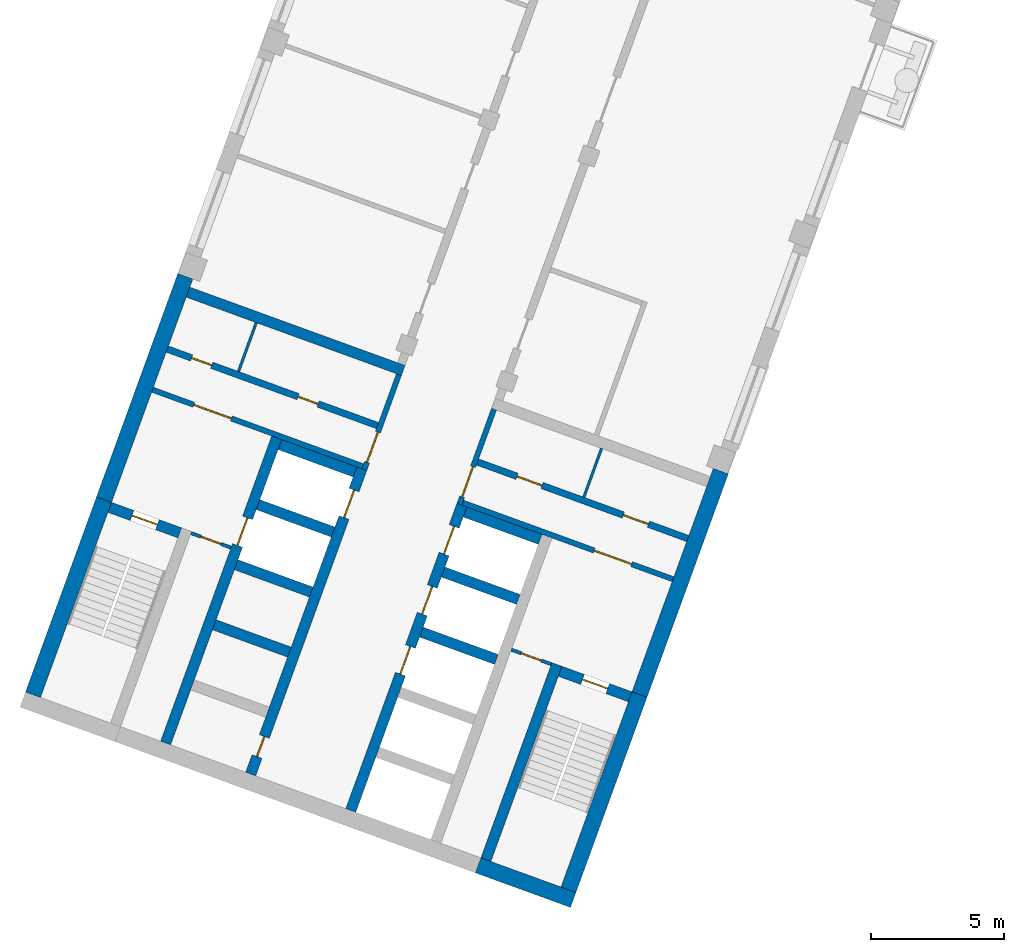
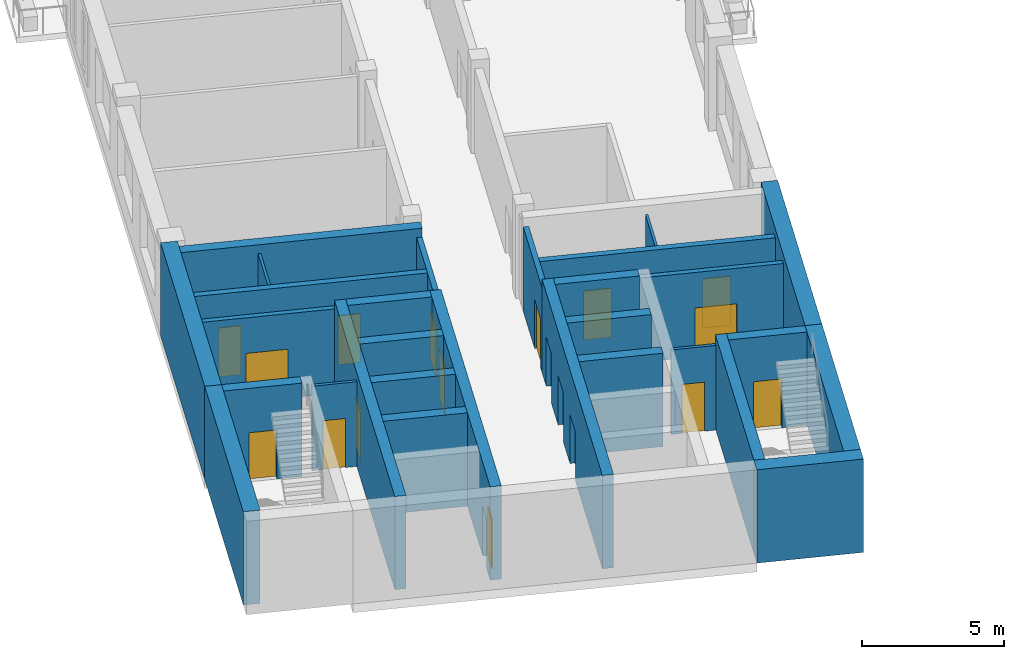
# One storey, part 2 of 16: 29 walls, 18 doors, 18 openings.
"""IFC4 building model written with IfcOpenShell, lengths in metres."""

from ifc_helpers import new_model, si_unit, direction, frame, frame_2d, origin, place, context, subcontext, project, spatial, rectangle, extrude, material, layer, layer_set, type_object, element, fill, save


model = new_model("IFC4")

# Units and contexts
model_context = context("Model", 3, precision=1e-05, world=origin(), true_north=direction((0.0, 1.0)))
body_context = subcontext(model_context, "Body", "Model", "MODEL_VIEW")
ifc_project = project(units=[si_unit("LENGTHUNIT", "METRE"), si_unit("AREAUNIT", "SQUARE_METRE"), si_unit("VOLUMEUNIT", "CUBIC_METRE"), si_unit("PLANEANGLEUNIT", "RADIAN"), si_unit("MASSUNIT", "GRAM", prefix="KILO")], contexts=[model_context])

# Site, building, storey
site_placement = place(None, origin())
site = spatial("IfcSite", under=ifc_project, at=site_placement, CompositionType="ELEMENT")
building_placement = place(site_placement, origin())
building = spatial("IfcBuilding", under=site, at=building_placement, Name="Skarvind Civic Tower", CompositionType="ELEMENT")
storey_placement = place(building_placement, frame((0.0, 0.0, 81.0)))
storey = spatial("IfcBuildingStorey", under=building, at=storey_placement, Name="L18", CompositionType="ELEMENT", Elevation=81.0)

# Wall, opening, door
ifc_material_1 = material(Name="Fire-rated masonry partition", Category="masonry")
ifc_layer_1 = layer(ifc_material_1, 0.199951171875)
ifc_layer_set_1 = layer_set([ifc_layer_1], Name="Core enclosure wall 200")
wall_type_1 = type_object("IfcWallType", Name="Core enclosure wall 200", PredefinedType="PARTITIONING", material=ifc_layer_set_1)
wall_1_placement = place(storey_placement, frame((31.491455078125, 93.693359375, 0.0), z_axis=(0.0, 0.0, 1.0), x_axis=(0.341995824804, 0.939701471648, 0.0)))
wall_1 = element("IfcWall", 1, at=wall_1_placement, inside=storey, type_object=wall_type_1, Name="Core wall C2", PredefinedType="PARTITIONING", context=body_context, shape_type="SweptSolid", body=[
    extrude(rectangle(XDim=3.800048828125, YDim=0.199951171875, at=frame_2d((1.89990234375, 0.0))), origin(), (0.0, 0.0, 1.0), 3.625),
])
opening_1_placement = place(wall_1_placement, frame((0.300048828125, 0.0, 0.0)))
opening_1 = element("IfcOpeningElement", 2, at=opening_1_placement, cuts=wall_1, Name="Opening D-L18-C2-06", PredefinedType="OPENING", context=body_context, shape_type="SweptSolid", body=[
    extrude(rectangle(XDim=1.199951171875, YDim=2.10009765625, at=frame_2d((0.60009765625, 1.050048828125))), frame((0.0, 0.10986328125, 0.0), z_axis=(0.0, -1.0, 0.0), x_axis=(1.0, 0.0, 0.0)), (0.0, 0.0, 1.0), 0.219970703125),
])
ifc_material_2 = material(Name="Fire-rated steel door", Category="steel")
door_type_1 = type_object("IfcDoorType", Name="Core lobby door 1200", OperationType="NOTDEFINED", PredefinedType="DOOR", material=ifc_material_2)
door_1_placement = place(opening_1_placement, origin())
door_1 = element("IfcDoor", 3, at=door_1_placement, inside=storey, type_object=door_type_1, Name="Fire door", OperationType="DOUBLE_DOOR_SINGLE_SWING", OverallHeight=2.10009765625, OverallWidth=1.199951171875, PredefinedType="DOOR", context=body_context, shape_type="SweptSolid", body=[
    extrude(rectangle(XDim=1.199951171875, YDim=2.10009765625, at=frame_2d((0.60009765625, 1.050048828125))), frame((0.0, 0.02490234375, 0.0), z_axis=(0.0, -1.0, 0.0), x_axis=(1.0, 0.0, 0.0)), (0.0, 0.0, 1.0), 0.050048828125),
])
fill(opening_1, door_1)

wall_2_placement = place(storey_placement, frame((23.5380859375, 96.6943359375, 0.0), z_axis=(0.0, 0.0, 1.0), x_axis=(0.939691552312, -0.342023078919, 0.0)))
wall_2 = element("IfcWall", 4, at=wall_2_placement, inside=storey, type_object=wall_type_1, Name="Core wall C2", PredefinedType="PARTITIONING", context=body_context, shape_type="SweptSolid", body=[
    extrude(rectangle(XDim=8.400146484375, YDim=0.199951171875, at=frame_2d((4.2001953125, 0.0))), origin(), (0.0, 0.0, 1.0), 3.625),
])
opening_2_placement = place(wall_2_placement, frame((1.64990234375, 0.0, 0.0)))
opening_2 = element("IfcOpeningElement", 5, at=opening_2_placement, cuts=wall_2, Name="Opening D-L18-C2-07", PredefinedType="OPENING", context=body_context, shape_type="SweptSolid", body=[
    extrude(rectangle(XDim=1.5, YDim=2.10009765625, at=frame_2d((0.75, 1.050048828125))), frame((0.0, 0.10986328125, 0.0), z_axis=(0.0, -1.0, 0.0), x_axis=(1.0, 0.0, 0.0)), (0.0, 0.0, 1.0), 0.219970703125),
])
door_type_2 = type_object("IfcDoorType", Name="Fire door 1500", OperationType="NOTDEFINED", PredefinedType="DOOR", material=ifc_material_2)
door_2_placement = place(opening_2_placement, origin())
door_2 = element("IfcDoor", 6, at=door_2_placement, inside=storey, type_object=door_type_2, Name="Fire door", OperationType="DOUBLE_DOOR_SINGLE_SWING", OverallHeight=2.10009765625, OverallWidth=1.5, PredefinedType="DOOR", context=body_context, shape_type="SweptSolid", body=[
    extrude(rectangle(XDim=1.5, YDim=2.10009765625, at=frame_2d((0.75, 1.050048828125))), frame((0.0, 0.02490234375, 0.0), z_axis=(0.0, -1.0, 0.0), x_axis=(1.0, 0.0, 0.0)), (0.0, 0.0, 1.0), 0.050048828125),
])
fill(opening_2, door_2)

wall_3_placement = place(storey_placement, frame((36.36181640625, 95.96435546875, 0.0), z_axis=(0.0, 0.0, 1.0), x_axis=(-0.341995824804, -0.939701471648, 0.0)))
wall_3 = element("IfcWall", 7, at=wall_3_placement, inside=storey, type_object=wall_type_1, Name="Core wall C2", PredefinedType="PARTITIONING", context=body_context, shape_type="SweptSolid", body=[
    extrude(rectangle(XDim=3.800048828125, YDim=0.199951171875, at=frame_2d((1.89990234375, 0.0))), origin(), (0.0, 0.0, 1.0), 3.625),
])
opening_3_placement = place(wall_3_placement, frame((2.300048828125, 0.0, 0.0)))
opening_3 = element("IfcOpeningElement", 8, at=opening_3_placement, cuts=wall_3, Name="Opening D-L18-C2-12", PredefinedType="OPENING", context=body_context, shape_type="SweptSolid", body=[
    extrude(rectangle(XDim=1.199951171875, YDim=2.10009765625, at=frame_2d((0.60009765625, 1.050048828125))), frame((0.0, 0.10986328125, 0.0), z_axis=(0.0, -1.0, 0.0), x_axis=(1.0, 0.0, 0.0)), (0.0, 0.0, 1.0), 0.219970703125),
])
door_3_placement = place(opening_3_placement, origin())
door_3 = element("IfcDoor", 9, at=door_3_placement, inside=storey, type_object=door_type_1, Name="Fire door", OperationType="DOUBLE_DOOR_SINGLE_SWING", OverallHeight=2.10009765625, OverallWidth=1.199951171875, PredefinedType="DOOR", context=body_context, shape_type="SweptSolid", body=[
    extrude(rectangle(XDim=1.199951171875, YDim=2.10009765625, at=frame_2d((0.60009765625, 1.050048828125))), frame((0.0, 0.02490234375, 0.0), z_axis=(0.0, -1.0, 0.0), x_axis=(1.0, 0.0, 0.0)), (0.0, 0.0, 1.0), 0.050048828125),
])
fill(opening_3, door_3)

wall_4_placement = place(storey_placement, frame((35.1904296875, 92.453369140625, 0.0), z_axis=(0.0, 0.0, 1.0), x_axis=(0.939691552312, -0.342023078919, 0.0)))
wall_4 = element("IfcWall", 10, at=wall_4_placement, inside=storey, type_object=wall_type_1, Name="Core wall C2", PredefinedType="PARTITIONING", context=body_context, shape_type="SweptSolid", body=[
    extrude(rectangle(XDim=8.400146484375, YDim=0.199951171875, at=frame_2d((4.2001953125, 0.0))), origin(), (0.0, 0.0, 1.0), 3.625),
])
opening_4_placement = place(wall_4_placement, frame((5.25, 0.0, 0.0)))
opening_4 = element("IfcOpeningElement", 11, at=opening_4_placement, cuts=wall_4, Name="Opening D-L18-C2-13", PredefinedType="OPENING", context=body_context, shape_type="SweptSolid", body=[
    extrude(rectangle(XDim=1.5, YDim=2.10009765625, at=frame_2d((0.75, 1.050048828125))), frame((0.0, 0.10986328125, 0.0), z_axis=(0.0, -1.0, 0.0), x_axis=(1.0, 0.0, 0.0)), (0.0, 0.0, 1.0), 0.219970703125),
])
door_4_placement = place(opening_4_placement, origin())
door_4 = element("IfcDoor", 12, at=door_4_placement, inside=storey, type_object=door_type_2, Name="Fire door", OperationType="DOUBLE_DOOR_SINGLE_SWING", OverallHeight=2.10009765625, OverallWidth=1.5, PredefinedType="DOOR", context=body_context, shape_type="SweptSolid", body=[
    extrude(rectangle(XDim=1.5, YDim=2.10009765625, at=frame_2d((0.75, 1.050048828125))), frame((0.0, 0.02490234375, 0.0), z_axis=(0.0, -1.0, 0.0), x_axis=(1.0, 0.0, 0.0)), (0.0, 0.0, 1.0), 0.050048828125),
])
fill(opening_4, door_4)

# Walls
ifc_material_3 = material(Name="Fire-rated plasterboard partition")
ifc_layer_2 = layer(ifc_material_3, 0.10009765625)
ifc_layer_set_2 = layer_set([ifc_layer_2], Name="Core partition wall 100")
wall_type_2 = type_object("IfcWallType", Name="Core partition wall 100", PredefinedType="PARTITIONING", material=ifc_layer_set_2)
wall_5_placement = place(storey_placement, frame((26.767822265625, 97.381103515625, 0.0), z_axis=(0.0, 0.0, 1.0), x_axis=(0.342024501273, 0.939691034611, 0.0)))
element("IfcWall", 13, at=wall_5_placement, inside=storey, type_object=wall_type_2, Name="Core wall C2", PredefinedType="PARTITIONING", context=body_context, shape_type="SweptSolid", body=[
    extrude(rectangle(XDim=1.9501953125, YDim=0.10009765625, at=frame_2d((0.97509765625, 0.0))), origin(), (0.0, 0.0, 1.0), 3.625),
])
wall_6_placement = place(storey_placement, frame((40.402587890625, 94.49365234375, 0.0), z_axis=(0.0, 0.0, 1.0), x_axis=(-0.342064742067, -0.939676386973, 0.0)))
element("IfcWall", 14, at=wall_6_placement, inside=storey, type_object=wall_type_2, Name="Core wall C2", PredefinedType="PARTITIONING", context=body_context, shape_type="SweptSolid", body=[
    extrude(rectangle(XDim=1.949951171875, YDim=0.10009765625, at=frame_2d((0.97509765625, 0.0))), origin(), (0.0, 0.0, 1.0), 3.625),
])
ifc_material_4 = material(Name="Concrete C80", Category="concrete")
ifc_layer_3 = layer(ifc_material_4, 0.39990234375)
ifc_layer_set_3 = layer_set([ifc_layer_3], Name="Core wall 400 C80")
wall_type_3 = type_object("IfcWallType", Name="Core wall 400 C80", PredefinedType="SHEAR", material=ifc_layer_set_3)
wall_7_placement = place(storey_placement, frame((36.057861328125, 79.04833984375, 0.0), z_axis=(0.0, 0.0, 1.0), x_axis=(0.342016982193, 0.939693771338, 0.0)))
element("IfcWall", 15, at=wall_7_placement, inside=storey, type_object=wall_type_3, Name="Core wall C2 south stair inner L18", PredefinedType="SHEAR", context=body_context, shape_type="SweptSolid", body=[
    extrude(rectangle(XDim=7.800048828125, YDim=0.39990234375, at=frame_2d((3.89990234375, 0.0))), origin(), (0.0, 0.0, 1.0), 4.0),
])

# Wall, opening, door
wall_8_placement = place(storey_placement, frame((41.476318359375, 85.163818359375, 0.0), z_axis=(0.0, 0.0, 1.0), x_axis=(-0.939678810556, 0.342058084236, 0.0)))
wall_8 = element("IfcWall", 16, at=wall_8_placement, inside=storey, type_object=wall_type_3, Name="Core wall C2 south stair end L18", PredefinedType="SHEAR", context=body_context, shape_type="SweptSolid", body=[
    extrude(rectangle(XDim=2.800048828125, YDim=0.39990234375, at=frame_2d((1.39990234375, 0.0))), origin(), (0.0, 0.0, 1.0), 4.0),
])
opening_5_placement = place(wall_8_placement, frame((0.89990234375, 0.0, 0.0)))
opening_5 = element("IfcOpeningElement", 17, at=opening_5_placement, cuts=wall_8, Name="Opening D-L18-C2-14", PredefinedType="OPENING", context=body_context, shape_type="SweptSolid", body=[
    extrude(rectangle(XDim=1.0, YDim=2.10009765625, at=frame_2d((0.5, 1.050048828125))), frame((0.0, 0.2099609375, 0.0), z_axis=(0.0, -1.0, 0.0), x_axis=(1.0, 0.0, 0.0)), (0.0, 0.0, 1.0), 0.419921875),
])
door_type_3 = type_object("IfcDoorType", Name="Fire door 1000", OperationType="NOTDEFINED", PredefinedType="DOOR", material=ifc_material_2)
door_5_placement = place(opening_5_placement, origin())
door_5 = element("IfcDoor", 18, at=door_5_placement, inside=storey, type_object=door_type_3, Name="Fire door", OperationType="SINGLE_SWING_RIGHT", OverallHeight=2.10009765625, OverallWidth=1.0, PredefinedType="DOOR", context=body_context, shape_type="SweptSolid", body=[
    extrude(rectangle(XDim=1.0, YDim=2.10009765625, at=frame_2d((0.5, 1.050048828125))), frame((0.0, 0.02490234375, 0.0), z_axis=(0.0, -1.0, 0.0), x_axis=(1.0, 0.0, 0.0)), (0.0, 0.0, 1.0), 0.050048828125),
])
fill(opening_5, door_5)

wall_9_placement = place(storey_placement, frame((24.56201171875, 91.3203125, 0.0), z_axis=(0.0, 0.0, 1.0), x_axis=(-0.939717030584, 0.341953070509, 0.0)))
wall_9 = element("IfcWall", 19, at=wall_9_placement, inside=storey, type_object=wall_type_3, Name="Core wall C2 north stair end L18", PredefinedType="SHEAR", context=body_context, shape_type="SweptSolid", body=[
    extrude(rectangle(XDim=2.800048828125, YDim=0.39990234375, at=frame_2d((1.39990234375, 0.0))), origin(), (0.0, 0.0, 1.0), 4.0),
])
opening_6_placement = place(wall_9_placement, frame((0.89990234375, 0.0, 0.0)))
opening_6 = element("IfcOpeningElement", 20, at=opening_6_placement, cuts=wall_9, Name="Opening D-L18-C2-08", PredefinedType="OPENING", context=body_context, shape_type="SweptSolid", body=[
    extrude(rectangle(XDim=1.0, YDim=2.10009765625, at=frame_2d((0.5, 1.050048828125))), frame((0.0, 0.2099609375, 0.0), z_axis=(0.0, -1.0, 0.0), x_axis=(1.0, 0.0, 0.0)), (0.0, 0.0, 1.0), 0.419921875),
])
door_6_placement = place(opening_6_placement, origin())
door_6 = element("IfcDoor", 21, at=door_6_placement, inside=storey, type_object=door_type_3, Name="Fire door", OperationType="SINGLE_SWING_LEFT", OverallHeight=2.10009765625, OverallWidth=1.0, PredefinedType="DOOR", context=body_context, shape_type="SweptSolid", body=[
    extrude(rectangle(XDim=1.0, YDim=2.10009765625, at=frame_2d((0.5, 1.050048828125))), frame((0.0, 0.02490234375, 0.0), z_axis=(0.0, -1.0, 0.0), x_axis=(1.0, 0.0, 0.0)), (0.0, 0.0, 1.0), 0.050048828125),
])
fill(opening_6, door_6)

# Wall, openings, doors
wall_10_placement = place(storey_placement, frame((30.983642578125, 80.895263671875, 0.0), z_axis=(0.0, 0.0, 1.0), x_axis=(0.342021021735, 0.939692301071, 0.0)))
wall_10 = element("IfcWall", 22, at=wall_10_placement, inside=storey, type_object=wall_type_3, Name="Core wall C2 south lift row front L18", PredefinedType="SHEAR", context=body_context, shape_type="SweptSolid", body=[
    extrude(rectangle(XDim=12.199951171875, YDim=0.39990234375, at=frame_2d((6.10009765625, 0.0))), origin(), (0.0, 0.0, 1.0), 4.0),
])
opening_7_placement = place(wall_10_placement, frame((5.449951171875, 0.0, 0.0)))
opening_7 = element("IfcOpeningElement", 23, at=opening_7_placement, cuts=wall_10, Name="Opening LD20208", PredefinedType="OPENING", context=body_context, shape_type="SweptSolid", body=[
    extrude(rectangle(XDim=1.10009765625, YDim=2.10009765625, at=frame_2d((0.550048828125, 1.050048828125))), frame((0.0, 0.2099609375, 0.0), z_axis=(0.0, -1.0, 0.0), x_axis=(1.0, 0.0, 0.0)), (0.0, 0.0, 1.0), 0.419921875),
])
opening_8_placement = place(wall_10_placement, frame((7.85009765625, 0.0, 0.0)))
opening_8 = element("IfcOpeningElement", 24, at=opening_8_placement, cuts=wall_10, Name="Opening LD20209", PredefinedType="OPENING", context=body_context, shape_type="SweptSolid", body=[
    extrude(rectangle(XDim=1.10009765625, YDim=2.10009765625, at=frame_2d((0.550048828125, 1.050048828125))), frame((0.0, 0.2099609375, 0.0), z_axis=(0.0, -1.0, 0.0), x_axis=(1.0, 0.0, 0.0)), (0.0, 0.0, 1.0), 0.419921875),
])
opening_9_placement = place(wall_10_placement, frame((10.25, 0.0, 0.0)))
opening_9 = element("IfcOpeningElement", 25, at=opening_9_placement, cuts=wall_10, Name="Opening LD20210", PredefinedType="OPENING", context=body_context, shape_type="SweptSolid", body=[
    extrude(rectangle(XDim=1.10009765625, YDim=2.10009765625, at=frame_2d((0.550048828125, 1.050048828125))), frame((0.0, 0.2099609375, 0.0), z_axis=(0.0, -1.0, 0.0), x_axis=(1.0, 0.0, 0.0)), (0.0, 0.0, 1.0), 0.419921875),
])
ifc_material_5 = material(Name="Stainless steel landing door", Category="steel")
door_type_4 = type_object("IfcDoorType", Name="Lift landing door 1100", OperationType="DOUBLE_DOOR_SLIDING", PredefinedType="DOOR", material=ifc_material_5)
door_7_placement = place(opening_7_placement, origin())
door_7 = element("IfcDoor", 26, at=door_7_placement, inside=storey, type_object=door_type_4, Name="Lift landing door", OperationType="DOUBLE_DOOR_SLIDING", OverallHeight=2.10009765625, OverallWidth=1.10009765625, PredefinedType="DOOR", context=body_context, shape_type="SweptSolid", body=[
    extrude(rectangle(XDim=1.10009765625, YDim=2.10009765625, at=frame_2d((0.550048828125, 1.050048828125))), frame((0.0, 0.02490234375, 0.0), z_axis=(0.0, -1.0, 0.0), x_axis=(1.0, 0.0, 0.0)), (0.0, 0.0, 1.0), 0.050048828125),
])
fill(opening_7, door_7)
door_8_placement = place(opening_8_placement, origin())
door_8 = element("IfcDoor", 27, at=door_8_placement, inside=storey, type_object=door_type_4, Name="Lift landing door", OperationType="DOUBLE_DOOR_SLIDING", OverallHeight=2.10009765625, OverallWidth=1.10009765625, PredefinedType="DOOR", context=body_context, shape_type="SweptSolid", body=[
    extrude(rectangle(XDim=1.10009765625, YDim=2.10009765625, at=frame_2d((0.550048828125, 1.050048828125))), frame((0.0, 0.02490234375, 0.0), z_axis=(0.0, -1.0, 0.0), x_axis=(1.0, 0.0, 0.0)), (0.0, 0.0, 1.0), 0.050048828125),
])
fill(opening_8, door_8)
door_9_placement = place(opening_9_placement, origin())
door_9 = element("IfcDoor", 28, at=door_9_placement, inside=storey, type_object=door_type_4, Name="Lift landing door", OperationType="DOUBLE_DOOR_SLIDING", OverallHeight=2.10009765625, OverallWidth=1.10009765625, PredefinedType="DOOR", context=body_context, shape_type="SweptSolid", body=[
    extrude(rectangle(XDim=1.10009765625, YDim=2.10009765625, at=frame_2d((0.550048828125, 1.050048828125))), frame((0.0, 0.02490234375, 0.0), z_axis=(0.0, -1.0, 0.0), x_axis=(1.0, 0.0, 0.0)), (0.0, 0.0, 1.0), 0.050048828125),
])
fill(opening_9, door_9)

# Walls
for number, where, z_axis, x_axis, name in (
    (29, (36.453125, 86.56640625, 0.0), (0.0, 0.0, 1.0), (-0.939686455819, 0.342037080957, 0.0), "Core wall C2 south lift row division 3 L18"),
    (30, (37.27392578125, 88.82177734375, 0.0), (0.0, 0.0, 1.0), (-0.939686455819, 0.342037080957, 0.0), "Core wall C2 south lift row division 4 L18"),
):
    element("IfcWall", number, at=place(storey_placement, frame(where, z_axis=z_axis, x_axis=x_axis)), inside=storey, type_object=wall_type_3, Name=name, PredefinedType="SHEAR", context=body_context, shape_type="SweptSolid", body=[
        extrude(rectangle(XDim=3.0, YDim=0.39990234375, at=frame_2d((1.5, 0.0))), origin(), (0.0, 0.0, 1.0), 4.0),
    ])
wall_11_placement = place(storey_placement, frame((38.0947265625, 91.076904296875, 0.0), z_axis=(0.0, 0.0, 1.0), x_axis=(-0.939676934218, 0.342063238742, 0.0)))
element("IfcWall", 31, at=wall_11_placement, inside=storey, type_object=wall_type_3, Name="Core wall C2 south lift row division 5 L18", PredefinedType="SHEAR", context=body_context, shape_type="SweptSolid", body=[
    extrude(rectangle(XDim=2.999755859375, YDim=0.39990234375, at=frame_2d((1.5, 0.0))), origin(), (0.0, 0.0, 1.0), 4.0),
])

# Wall, openings, doors
wall_12_placement = place(storey_placement, frame((27.224853515625, 82.26318359375, 0.0), z_axis=(0.0, 0.0, 1.0), x_axis=(0.342014590177, 0.939694641948, 0.0)))
wall_12 = element("IfcWall", 32, at=wall_12_placement, inside=storey, type_object=wall_type_3, Name="Core wall C2 north lift row front L18", PredefinedType="SHEAR", context=body_context, shape_type="SweptSolid", body=[
    extrude(rectangle(XDim=12.2001953125, YDim=0.39990234375, at=frame_2d((6.10009765625, 0.0))), origin(), (0.0, 0.0, 1.0), 4.0),
])
opening_10_placement = place(wall_12_placement, frame((10.25, 0.0, 0.0)))
opening_10 = element("IfcOpeningElement", 33, at=opening_10_placement, cuts=wall_12, Name="Opening LD20205", PredefinedType="OPENING", context=body_context, shape_type="SweptSolid", body=[
    extrude(rectangle(XDim=1.10009765625, YDim=2.10009765625, at=frame_2d((0.550048828125, 1.050048828125))), frame((0.0, 0.2099609375, 0.0), z_axis=(0.0, -1.0, 0.0), x_axis=(1.0, 0.0, 0.0)), (0.0, 0.0, 1.0), 0.419921875),
])
opening_11_placement = place(wall_12_placement, frame((0.699951171875, 0.0, 0.0)))
opening_11 = element("IfcOpeningElement", 34, at=opening_11_placement, cuts=wall_12, Name="Opening D-L18-C2-05", PredefinedType="OPENING", context=body_context, shape_type="SweptSolid", body=[
    extrude(rectangle(XDim=0.800048828125, YDim=2.10009765625, at=frame_2d((0.39990234375, 1.050048828125))), frame((0.0, 0.2099609375, 0.0), z_axis=(0.0, -1.0, 0.0), x_axis=(1.0, 0.0, 0.0)), (0.0, 0.0, 1.0), 0.419921875),
])
door_type_5 = type_object("IfcDoorType", Name="Core riser door 800", OperationType="NOTDEFINED", PredefinedType="DOOR", material=ifc_material_2)
door_10_placement = place(opening_11_placement, origin())
door_10 = element("IfcDoor", 35, at=door_10_placement, inside=storey, type_object=door_type_5, Name="Riser door", OperationType="SINGLE_SWING_LEFT", OverallHeight=2.10009765625, OverallWidth=0.800048828125, PredefinedType="DOOR", context=body_context, shape_type="SweptSolid", body=[
    extrude(rectangle(XDim=0.800048828125, YDim=2.10009765625, at=frame_2d((0.39990234375, 1.050048828125))), frame((0.0, 0.02490234375, 0.0), z_axis=(0.0, -1.0, 0.0), x_axis=(1.0, 0.0, 0.0)), (0.0, 0.0, 1.0), 0.050048828125),
])
fill(opening_11, door_10)
door_11_placement = place(opening_10_placement, origin())
door_11 = element("IfcDoor", 36, at=door_11_placement, inside=storey, type_object=door_type_4, Name="Lift landing door", OperationType="DOUBLE_DOOR_SLIDING", OverallHeight=2.10009765625, OverallWidth=1.10009765625, PredefinedType="DOOR", context=body_context, shape_type="SweptSolid", body=[
    extrude(rectangle(XDim=1.10009765625, YDim=2.10009765625, at=frame_2d((0.550048828125, 1.050048828125))), frame((0.0, 0.02490234375, 0.0), z_axis=(0.0, -1.0, 0.0), x_axis=(1.0, 0.0, 0.0)), (0.0, 0.0, 1.0), 0.050048828125),
])
fill(opening_10, door_11)

# Wall, opening, door
wall_13_placement = place(storey_placement, frame((24.02978515625, 83.426025390625, 0.0), z_axis=(0.0, 0.0, 1.0), x_axis=(0.342014590177, 0.939694641948, 0.0)))
wall_13 = element("IfcWall", 37, at=wall_13_placement, inside=storey, type_object=wall_type_3, Name="Core wall C2 north lift row back L18", PredefinedType="SHEAR", context=body_context, shape_type="SweptSolid", body=[
    extrude(rectangle(XDim=12.2001953125, YDim=0.39990234375, at=frame_2d((6.10009765625, 0.0))), origin(), (0.0, 0.0, 1.0), 4.0),
])
opening_12_placement = place(wall_13_placement, frame((7.89990234375, 0.0, 0.0)))
opening_12 = element("IfcOpeningElement", 38, at=opening_12_placement, cuts=wall_13, Name="Opening LD20204", PredefinedType="OPENING", context=body_context, shape_type="SweptSolid", body=[
    extrude(rectangle(XDim=1.10009765625, YDim=2.10009765625, at=frame_2d((0.550048828125, 1.050048828125))), frame((0.0, 0.2099609375, 0.0), z_axis=(0.0, -1.0, 0.0), x_axis=(1.0, 0.0, 0.0)), (0.0, 0.0, 1.0), 0.419921875),
])
door_12_placement = place(opening_12_placement, origin())
door_12 = element("IfcDoor", 39, at=door_12_placement, inside=storey, type_object=door_type_4, Name="Lift landing door", OperationType="DOUBLE_DOOR_SLIDING", OverallHeight=2.10009765625, OverallWidth=1.10009765625, PredefinedType="DOOR", context=body_context, shape_type="SweptSolid", body=[
    extrude(rectangle(XDim=1.10009765625, YDim=2.10009765625, at=frame_2d((0.550048828125, 1.050048828125))), frame((0.0, 0.02490234375, 0.0), z_axis=(0.0, -1.0, 0.0), x_axis=(1.0, 0.0, 0.0)), (0.0, 0.0, 1.0), 0.050048828125),
])
fill(opening_12, door_12)

# Walls
wall_14_placement = place(storey_placement, frame((28.678466796875, 86.842041015625, 0.0), z_axis=(0.0, 0.0, 1.0), x_axis=(-0.939676934218, 0.342063238742, 0.0)))
element("IfcWall", 40, at=wall_14_placement, inside=storey, type_object=wall_type_3, Name="Core wall C2 north lift row division 2 L18", PredefinedType="SHEAR", context=body_context, shape_type="SweptSolid", body=[
    extrude(rectangle(XDim=2.999755859375, YDim=0.39990234375, at=frame_2d((1.5, 0.0))), origin(), (0.0, 0.0, 1.0), 4.0),
])
for number, where, z_axis, x_axis, name in (
    (41, (29.49951171875, 89.097412109375, 0.0), (0.0, 0.0, 1.0), (-0.939686455819, 0.342037080957, 0.0), "Core wall C2 north lift row division 3 L18"),
    (42, (30.3203125, 91.352783203125, 0.0), (0.0, 0.0, 1.0), (-0.939712609717, 0.341965219194, 0.0), "Core wall C2 north lift row division 4 L18"),
    (43, (31.14111328125, 93.60791015625, 0.0), (0.0, 0.0, 1.0), (-0.939686455819, 0.342037080957, 0.0), "Core wall C2 north lift row division 5 L18"),
):
    element("IfcWall", number, at=place(storey_placement, frame(where, z_axis=z_axis, x_axis=x_axis)), inside=storey, type_object=wall_type_3, Name=name, PredefinedType="SHEAR", context=body_context, shape_type="SweptSolid", body=[
        extrude(rectangle(XDim=3.0, YDim=0.39990234375, at=frame_2d((1.5, 0.0))), origin(), (0.0, 0.0, 1.0), 4.0),
    ])
wall_15_placement = place(storey_placement, frame((32.953369140625, 97.417724609375, 0.0), z_axis=(0.0, 0.0, 1.0), x_axis=(-0.93969060187, 0.342025690201, 0.0)))
element("IfcWall", 44, at=wall_15_placement, inside=storey, type_object=wall_type_3, Name="Core wall C2 north inner face L18", PredefinedType="SHEAR", context=body_context, shape_type="SweptSolid", body=[
    extrude(rectangle(XDim=8.599853515625, YDim=0.39990234375, at=frame_2d((4.2998046875, 0.0))), origin(), (0.0, 0.0, 1.0), 4.0),
])
ifc_layer_4 = layer(ifc_material_4, 0.60009765625)
ifc_layer_set_4 = layer_set([ifc_layer_4], Name="Core wall 600 C80")
wall_type_4 = type_object("IfcWallType", Name="Core wall 600 C80", PredefinedType="SHEAR", material=ifc_layer_set_4)
wall_16_placement = place(storey_placement, frame((39.338134765625, 77.53515625, 0.0), z_axis=(0.0, 0.0, 1.0), x_axis=(-0.939701471648, 0.341995824804, 0.0)))
element("IfcWall", 45, at=wall_16_placement, inside=storey, type_object=wall_type_4, Name="Core wall C2 tip at the south stair L18", PredefinedType="SHEAR", context=body_context, shape_type="SweptSolid", body=[
    extrude(rectangle(XDim=3.800048828125, YDim=0.60009765625, at=frame_2d((1.89990234375, 0.0))), origin(), (0.0, 0.0, 1.0), 4.0),
])
for number, where, z_axis, x_axis, name in (
    (46, (39.158935546875, 77.919677734375, 0.0), (0.0, 0.0, 1.0), (0.342016982193, 0.939693771338, 0.0), "Core wall C2 south side at the stair L18"),
    (47, (19.049560546875, 85.23876953125, 0.0), (0.0, 0.0, 1.0), (0.342016982193, 0.939693771338, 0.0), "Core wall C2 north side at the stair L18"),
):
    element("IfcWall", number, at=place(storey_placement, frame(where, z_axis=z_axis, x_axis=x_axis)), inside=storey, type_object=wall_type_4, Name=name, PredefinedType="SHEAR", context=body_context, shape_type="SweptSolid", body=[
        extrude(rectangle(XDim=7.800048828125, YDim=0.60009765625, at=frame_2d((3.89990234375, 0.0))), origin(), (0.0, 0.0, 1.0), 4.0),
    ])
for number, where, z_axis, x_axis, name in (
    (48, (41.82666015625, 85.249267578125, 0.0), (0.0, 0.0, 1.0), (0.342017595281, 0.939693548195, 0.0), "Core wall C2 south side L18"),
    (49, (21.71728515625, 92.568359375, 0.0), (0.0, 0.0, 1.0), (0.342017595281, 0.939693548195, 0.0), "Core wall C2 north side L18"),
):
    element("IfcWall", number, at=place(storey_placement, frame(where, z_axis=z_axis, x_axis=x_axis)), inside=storey, type_object=wall_type_4, Name=name, PredefinedType="SHEAR", context=body_context, shape_type="SweptSolid", body=[
        extrude(rectangle(XDim=8.925048828125, YDim=0.60009765625, at=frame_2d((4.46240234375, 0.0))), origin(), (0.0, 0.0, 1.0), 4.0),
    ])

# Wall, opening, door
ifc_layer_5 = layer(ifc_material_1, 0.125)
ifc_layer_set_5 = layer_set([ifc_layer_5], Name="Riser wall 125")
wall_type_5 = type_object("IfcWallType", Name="Riser wall 125", PredefinedType="PARTITIONING", material=ifc_layer_set_5)
wall_17_placement = place(storey_placement, frame((24.98486328125, 91.3125, 0.0), z_axis=(0.0, 0.0, 1.0), x_axis=(0.939708740826, -0.341975850632, 0.0)))
wall_17 = element("IfcWall", 50, at=wall_17_placement, inside=storey, type_object=wall_type_5, Name="Core wall C2", PredefinedType="PARTITIONING", context=body_context, shape_type="SweptSolid", body=[
    extrude(rectangle(XDim=1.599853515625, YDim=0.125, at=frame_2d((0.7998046875, 0.0))), origin(), (0.0, 0.0, 1.0), 3.625),
])
opening_13_placement = place(wall_17_placement, frame((0.39990234375, 0.0, 0.0)))
opening_13 = element("IfcOpeningElement", 51, at=opening_13_placement, cuts=wall_17, Name="Opening D-L18-C2-09", PredefinedType="OPENING", context=body_context, shape_type="SweptSolid", body=[
    extrude(rectangle(XDim=0.800048828125, YDim=2.10009765625, at=frame_2d((0.39990234375, 1.050048828125))), frame((0.0, 0.072509765625, 0.0), z_axis=(0.0, -1.0, 0.0), x_axis=(1.0, 0.0, 0.0)), (0.0, 0.0, 1.0), 0.14501953125),
])
door_13_placement = place(opening_13_placement, origin())
door_13 = element("IfcDoor", 52, at=door_13_placement, inside=storey, type_object=door_type_5, Name="Riser door", OperationType="SINGLE_SWING_RIGHT", OverallHeight=2.10009765625, OverallWidth=0.800048828125, PredefinedType="DOOR", context=body_context, shape_type="SweptSolid", body=[
    extrude(rectangle(XDim=0.800048828125, YDim=2.10009765625, at=frame_2d((0.39990234375, 1.050048828125))), frame((0.0, 0.02490234375, 0.0), z_axis=(0.0, -1.0, 0.0), x_axis=(1.0, 0.0, 0.0)), (0.0, 0.0, 1.0), 0.050048828125),
])
fill(opening_13, door_13)

wall_18_placement = place(storey_placement, frame((37.012939453125, 86.934814453125, 0.0), z_axis=(0.0, 0.0, 1.0), x_axis=(0.939659694648, -0.342110593602, 0.0)))
wall_18 = element("IfcWall", 53, at=wall_18_placement, inside=storey, type_object=wall_type_5, Name="Core wall C2", PredefinedType="PARTITIONING", context=body_context, shape_type="SweptSolid", body=[
    extrude(rectangle(XDim=1.599853515625, YDim=0.125, at=frame_2d((0.7998046875, 0.0))), origin(), (0.0, 0.0, 1.0), 3.625),
])
opening_14_placement = place(wall_18_placement, frame((0.39990234375, 0.0, 0.0)))
opening_14 = element("IfcOpeningElement", 54, at=opening_14_placement, cuts=wall_18, Name="Opening D-L18-C2-15", PredefinedType="OPENING", context=body_context, shape_type="SweptSolid", body=[
    extrude(rectangle(XDim=0.800048828125, YDim=2.10009765625, at=frame_2d((0.39990234375, 1.050048828125))), frame((0.0, 0.072509765625, 0.0), z_axis=(0.0, -1.0, 0.0), x_axis=(1.0, 0.0, 0.0)), (0.0, 0.0, 1.0), 0.14501953125),
])
door_14_placement = place(opening_14_placement, origin())
door_14 = element("IfcDoor", 55, at=door_14_placement, inside=storey, type_object=door_type_5, Name="Riser door", OperationType="SINGLE_SWING_LEFT", OverallHeight=2.10009765625, OverallWidth=0.800048828125, PredefinedType="DOOR", context=body_context, shape_type="SweptSolid", body=[
    extrude(rectangle(XDim=0.800048828125, YDim=2.10009765625, at=frame_2d((0.39990234375, 1.050048828125))), frame((0.0, 0.02490234375, 0.0), z_axis=(0.0, -1.0, 0.0), x_axis=(1.0, 0.0, 0.0)), (0.0, 0.0, 1.0), 0.050048828125),
])
fill(opening_14, door_14)

# Wall, openings, doors
ifc_layer_6 = layer(ifc_material_1, 0.25)
ifc_layer_set_6 = layer_set([ifc_layer_6], Name="Service block wall 250")
wall_type_6 = type_object("IfcWallType", Name="Service block wall 250", PredefinedType="PARTITIONING", material=ifc_layer_set_6)
wall_19_placement = place(storey_placement, frame((24.093994140625, 98.221435546875, 0.0), z_axis=(0.0, 0.0, 1.0), x_axis=(0.939691552312, -0.342023078919, 0.0)))
wall_19 = element("IfcWall", 56, at=wall_19_placement, inside=storey, type_object=wall_type_6, Name="Core wall C2", PredefinedType="PARTITIONING", context=body_context, shape_type="SweptSolid", body=[
    extrude(rectangle(XDim=8.400146484375, YDim=0.25, at=frame_2d((4.2001953125, 0.0))), origin(), (0.0, 0.0, 1.0), 3.625),
])
opening_15_placement = place(wall_19_placement, frame((5.22509765625, 0.0, 0.0)))
opening_15 = element("IfcOpeningElement", 57, at=opening_15_placement, cuts=wall_19, Name="Opening D-L18-C2-10", PredefinedType="OPENING", context=body_context, shape_type="SweptSolid", body=[
    extrude(rectangle(XDim=0.800048828125, YDim=2.10009765625, at=frame_2d((0.39990234375, 1.050048828125))), frame((0.0, 0.135009765625, 0.0), z_axis=(0.0, -1.0, 0.0), x_axis=(1.0, 0.0, 0.0)), (0.0, 0.0, 1.0), 0.27001953125),
])
opening_16_placement = place(wall_19_placement, frame((0.97509765625, 0.0, 0.0)))
opening_16 = element("IfcOpeningElement", 58, at=opening_16_placement, cuts=wall_19, Name="Opening D-L18-C2-11", PredefinedType="OPENING", context=body_context, shape_type="SweptSolid", body=[
    extrude(rectangle(XDim=0.800048828125, YDim=2.10009765625, at=frame_2d((0.39990234375, 1.050048828125))), frame((0.0, 0.135009765625, 0.0), z_axis=(0.0, -1.0, 0.0), x_axis=(1.0, 0.0, 0.0)), (0.0, 0.0, 1.0), 0.27001953125),
])
door_15_placement = place(opening_15_placement, origin())
door_15 = element("IfcDoor", 59, at=door_15_placement, inside=storey, type_object=door_type_5, Name="Riser door", OperationType="SINGLE_SWING_LEFT", OverallHeight=2.10009765625, OverallWidth=0.800048828125, PredefinedType="DOOR", context=body_context, shape_type="SweptSolid", body=[
    extrude(rectangle(XDim=0.800048828125, YDim=2.10009765625, at=frame_2d((0.39990234375, 1.050048828125))), frame((0.0, 0.02490234375, 0.0), z_axis=(0.0, -1.0, 0.0), x_axis=(1.0, 0.0, 0.0)), (0.0, 0.0, 1.0), 0.050048828125),
])
fill(opening_15, door_15)
door_16_placement = place(opening_16_placement, origin())
door_16 = element("IfcDoor", 60, at=door_16_placement, inside=storey, type_object=door_type_5, Name="Riser door", OperationType="SINGLE_SWING_RIGHT", OverallHeight=2.10009765625, OverallWidth=0.800048828125, PredefinedType="DOOR", context=body_context, shape_type="SweptSolid", body=[
    extrude(rectangle(XDim=0.800048828125, YDim=2.10009765625, at=frame_2d((0.39990234375, 1.050048828125))), frame((0.0, 0.02490234375, 0.0), z_axis=(0.0, -1.0, 0.0), x_axis=(1.0, 0.0, 0.0)), (0.0, 0.0, 1.0), 0.050048828125),
])
fill(opening_16, door_16)

wall_20_placement = place(storey_placement, frame((35.74609375, 93.98046875, 0.0), z_axis=(0.0, 0.0, 1.0), x_axis=(0.939691552312, -0.342023078919, 0.0)))
wall_20 = element("IfcWall", 61, at=wall_20_placement, inside=storey, type_object=wall_type_6, Name="Core wall C2", PredefinedType="PARTITIONING", context=body_context, shape_type="SweptSolid", body=[
    extrude(rectangle(XDim=8.400146484375, YDim=0.25, at=frame_2d((4.2001953125, 0.0))), origin(), (0.0, 0.0, 1.0), 3.625),
])
opening_17_placement = place(wall_20_placement, frame((1.574951171875, 0.0, 0.0)))
opening_17 = element("IfcOpeningElement", 62, at=opening_17_placement, cuts=wall_20, Name="Opening D-L18-C2-16", PredefinedType="OPENING", context=body_context, shape_type="SweptSolid", body=[
    extrude(rectangle(XDim=1.0, YDim=2.10009765625, at=frame_2d((0.5, 1.050048828125))), frame((0.0, 0.135009765625, 0.0), z_axis=(0.0, -1.0, 0.0), x_axis=(1.0, 0.0, 0.0)), (0.0, 0.0, 1.0), 0.27001953125),
])
opening_18_placement = place(wall_20_placement, frame((5.824951171875, 0.0, 0.0)))
opening_18 = element("IfcOpeningElement", 63, at=opening_18_placement, cuts=wall_20, Name="Opening D-L18-C2-17", PredefinedType="OPENING", context=body_context, shape_type="SweptSolid", body=[
    extrude(rectangle(XDim=1.0, YDim=2.10009765625, at=frame_2d((0.5, 1.050048828125))), frame((0.0, 0.135009765625, 0.0), z_axis=(0.0, -1.0, 0.0), x_axis=(1.0, 0.0, 0.0)), (0.0, 0.0, 1.0), 0.27001953125),
])
door_17_placement = place(opening_17_placement, origin())
door_17 = element("IfcDoor", 64, at=door_17_placement, inside=storey, type_object=door_type_3, Name="Fire door", OperationType="SINGLE_SWING_RIGHT", OverallHeight=2.10009765625, OverallWidth=1.0, PredefinedType="DOOR", context=body_context, shape_type="SweptSolid", body=[
    extrude(rectangle(XDim=1.0, YDim=2.10009765625, at=frame_2d((0.5, 1.050048828125))), frame((0.0, 0.02490234375, 0.0), z_axis=(0.0, -1.0, 0.0), x_axis=(1.0, 0.0, 0.0)), (0.0, 0.0, 1.0), 0.050048828125),
])
fill(opening_17, door_17)
door_18_placement = place(opening_18_placement, origin())
door_18 = element("IfcDoor", 65, at=door_18_placement, inside=storey, type_object=door_type_3, Name="Fire door", OperationType="SINGLE_SWING_LEFT", OverallHeight=2.10009765625, OverallWidth=1.0, PredefinedType="DOOR", context=body_context, shape_type="SweptSolid", body=[
    extrude(rectangle(XDim=1.0, YDim=2.10009765625, at=frame_2d((0.5, 1.050048828125))), frame((0.0, 0.02490234375, 0.0), z_axis=(0.0, -1.0, 0.0), x_axis=(1.0, 0.0, 0.0)), (0.0, 0.0, 1.0), 0.050048828125),
])
fill(opening_18, door_18)

save(model, "model.ifc")
